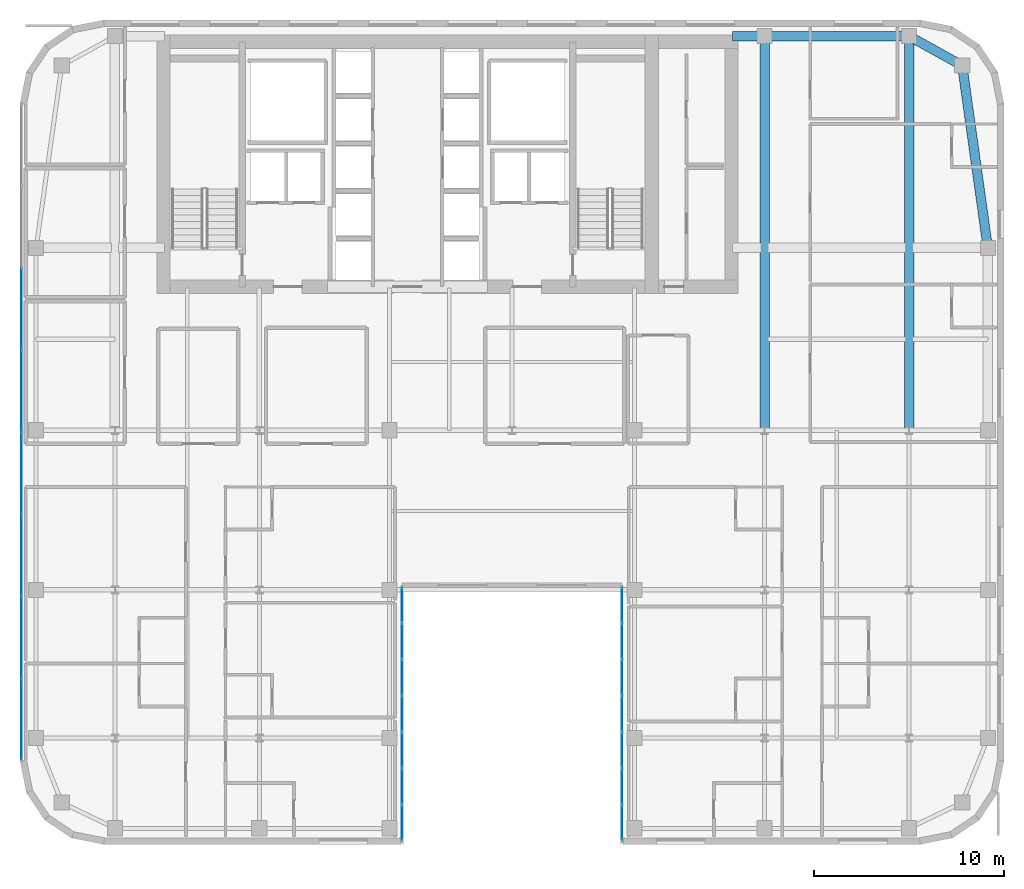
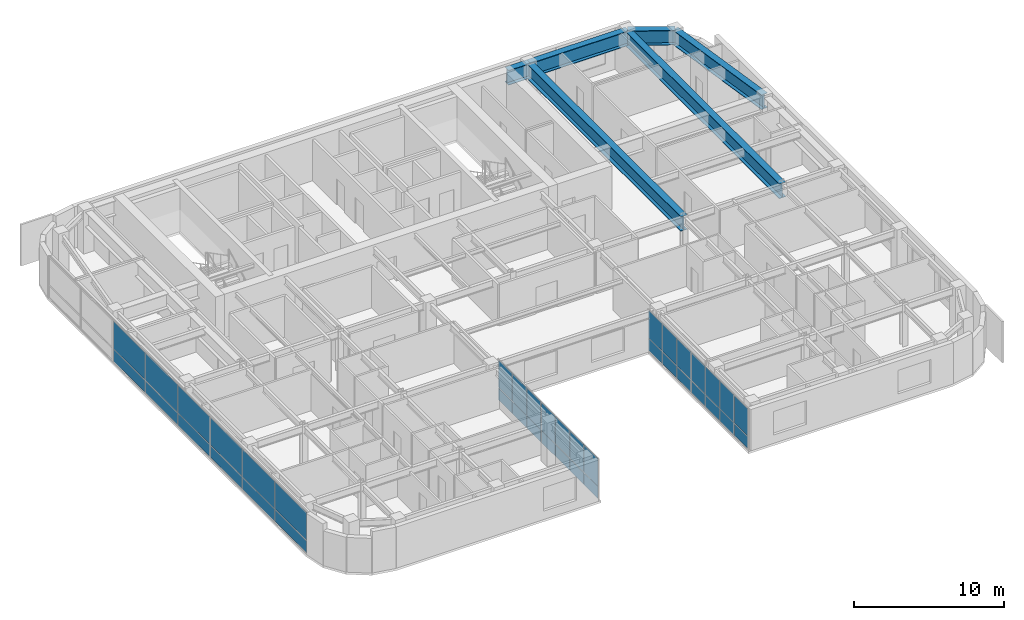
# One storey, part 16 of 24: 40 plates, 6 beams, 3 elements without a shape of their own.
"""IFC4 building model written with IfcOpenShell, lengths in metres."""

from ifc_helpers import new_model, si_unit, direction, frame, origin, origin_2d, place, context, subcontext, project, spatial, rectangle, i_section, extrude, source, transform, mapped, material, layer, layer_set, material_profile, profile_set, type_object, type_shapes, element, aggregate, save


model = new_model("IFC4")

# Units and contexts
model_context = context("Model", 3, precision=1e-05, world=origin(), true_north=direction((0.0, 1.0)))
body_context = subcontext(model_context, "Body", "Model", "MODEL_VIEW")
ifc_project = project(units=[si_unit("LENGTHUNIT", "METRE"), si_unit("AREAUNIT", "SQUARE_METRE"), si_unit("VOLUMEUNIT", "CUBIC_METRE"), si_unit("PLANEANGLEUNIT", "RADIAN"), si_unit("MASSUNIT", "GRAM", prefix="KILO")], contexts=[model_context])

# Site, building, storey
site_placement = place(None, origin())
site = spatial("IfcSite", under=ifc_project, at=site_placement, CompositionType="ELEMENT")
building_placement = place(site_placement, origin())
building = spatial("IfcBuilding", under=site, at=building_placement, Name="Tolvann Quenvar Hotel", CompositionType="ELEMENT")
storey_placement = place(building_placement, frame((0.0, 0.0, 194.64990234375)))
storey = spatial("IfcBuildingStorey", under=building, at=storey_placement, Name="L51", CompositionType="ELEMENT", Elevation=194.64990234375)

# Beams
ifc_material_1 = material(Name="Steel Grade 350", Category="steel")
ifc_material_profile = material_profile(ifc_material_1, i_section(OverallWidth=0.5, OverallDepth=1.199951171875, WebThickness=0.01611328125, FlangeThickness=0.0400390625, at=origin_2d()), Name="1200WB455")
ifc_profile_set = profile_set([ifc_material_profile], Name="Steel Grade 350")
beam_type = type_object("IfcBeamType", Name="BM_TG_1200WB455", PredefinedType="USERDEFINED", material=ifc_profile_set)
shared_shape_1 = source(origin(), body_context, "Body", "SweptSolid", [
    extrude(i_section(OverallWidth=0.5, OverallDepth=1.199951171875, WebThickness=0.01611328125, FlangeThickness=0.0400390625, at=origin_2d()), origin(), (0.0, 0.0, 1.0), 7.599853515625),
])
beam_1_placement = place(storey_placement, frame((49.39990234375, 45.14990234375, 2.77001953125), z_axis=(-1.0, 0.0, 0.0), x_axis=(0.0, -1.0, 0.0)))
element("IfcBeam", 1, at=beam_1_placement, inside=storey, type_object=beam_type, Name="BM-L51-FLK-E4", ObjectType="TRANSFER GIRDER", PredefinedType="USERDEFINED", context=body_context, shape_type="MappedRepresentation", body=[
    mapped(shared_shape_1, transform((0.0, 0.0, 0.0), x_axis=(1.0, 0.0, 0.0), y_axis=(0.0, 1.0, 0.0), z_axis=(0.0, 0.0, 1.0), scale=1.0)),
])
shared_shape_2 = source(origin(), body_context, "Body", "SweptSolid", [
    extrude(i_section(OverallWidth=0.5, OverallDepth=1.199951171875, WebThickness=0.01611328125, FlangeThickness=0.0400390625, at=origin_2d()), origin(), (0.0, 0.0, 1.0), 20.75),
])
for number, where, z_axis, x_axis, name in (
    (2, (41.800048828125, 24.39990234375, 2.77001953125), (0.0, 1.0, 0.0), (-1.0, 0.0, 0.0), "BM-L51-FLK-EH"),
    (3, (49.39990234375, 24.39990234375, 2.77001953125), (0.0, 1.0, 0.0), (-1.0, 0.0, 0.0), "BM-L51-FLK-EI"),
):
    element("IfcBeam", number, at=place(storey_placement, frame(where, z_axis=z_axis, x_axis=x_axis)), inside=storey, type_object=beam_type, Name=name, ObjectType="TRANSFER GIRDER", PredefinedType="USERDEFINED", context=body_context, shape_type="MappedRepresentation", body=[
        mapped(shared_shape_2, transform((0.0, 0.0, 0.0), x_axis=(1.0, 0.0, 0.0), y_axis=(0.0, 1.0, 0.0), z_axis=(0.0, 0.0, 1.0), scale=1.0)),
    ])
shared_shape_3 = source(origin(), body_context, "Body", "SweptSolid", [
    extrude(i_section(OverallWidth=0.5, OverallDepth=1.199951171875, WebThickness=0.01611328125, FlangeThickness=0.0400390625, at=origin_2d()), origin(), (0.0, 0.0, 1.0), 1.699951171875),
])
beam_2_placement = place(storey_placement, frame((40.10009765625, 45.14990234375, 2.77001953125), z_axis=(1.0, 0.0, 0.0), x_axis=(0.0, 1.0, 0.0)))
element("IfcBeam", 4, at=beam_2_placement, inside=storey, type_object=beam_type, Name="BM-L51-CTE-HN", ObjectType="TRANSFER GIRDER", PredefinedType="USERDEFINED", context=body_context, shape_type="MappedRepresentation", body=[
    mapped(shared_shape_3, transform((0.0, 0.0, 0.0), x_axis=(1.0, 0.0, 0.0), y_axis=(0.0, 1.0, 0.0), z_axis=(0.0, 0.0, 1.0), scale=1.0)),
])
shared_shape_4 = source(origin(), body_context, "Body", "SweptSolid", [
    extrude(i_section(OverallWidth=0.5, OverallDepth=1.199951171875, WebThickness=0.01611328125, FlangeThickness=0.0400390625, at=origin_2d()), origin(), (0.0, 0.0, 1.0), 9.694580078125),
])
beam_3_placement = place(storey_placement, frame((53.550048828125, 34.0, 2.77001953125), z_axis=(-0.139263320262, 0.990255385055, 0.0), x_axis=(-0.990255385055, -0.139263320262, 0.0)))
element("IfcBeam", 5, at=beam_3_placement, inside=storey, type_object=beam_type, Name="BM-L51-FLK-E2", ObjectType="TRANSFER GIRDER", PredefinedType="USERDEFINED", context=body_context, shape_type="MappedRepresentation", body=[
    mapped(shared_shape_4, transform((0.0, 0.0, 0.0), x_axis=(1.0, 0.0, 0.0), y_axis=(0.0, 1.0, 0.0), z_axis=(0.0, 0.0, 1.0), scale=1.0)),
])
shared_shape_5 = source(origin(), body_context, "Body", "SweptSolid", [
    extrude(i_section(OverallWidth=0.5, OverallDepth=1.199951171875, WebThickness=0.01611328125, FlangeThickness=0.0400390625, at=origin_2d()), origin(), (0.0, 0.0, 1.0), 3.200439453125),
])
type_shapes(beam_type, [shared_shape_1, shared_shape_2, shared_shape_3, shared_shape_4, shared_shape_5])
beam_4_placement = place(storey_placement, frame((52.199951171875, 43.60009765625, 2.77001953125), z_axis=(-0.87492264453, 0.48426270359, 0.0), x_axis=(-0.48426270359, -0.87492264453, 0.0)))
element("IfcBeam", 6, at=beam_4_placement, inside=storey, type_object=beam_type, Name="BM-L51-FLK-E3", ObjectType="TRANSFER GIRDER", PredefinedType="USERDEFINED", context=body_context, shape_type="MappedRepresentation", body=[
    mapped(shared_shape_5, transform((0.0, 0.0, 0.0), x_axis=(1.0, 0.0, 0.0), y_axis=(0.0, 1.0, 0.0), z_axis=(0.0, 0.0, 1.0), scale=1.0)),
])

# Curtain wall, plates
ifc_material_2 = material(Name="Thermally broken anodised architectural aluminium 6063-T6 and laminated low-E glass", Category="aluminium")
ifc_layer_1 = layer(ifc_material_2, 0.179931640625)
ifc_layer_set_1 = layer_set([ifc_layer_1], Name="Thermally broken anodised architectural aluminium 6063-T6 and laminated low-E glass")
curtain_wall_type_1 = type_object("IfcCurtainWallType", Name="CW_SYS_SLOT_03", PredefinedType="USERDEFINED", material=ifc_layer_set_1)
curtain_wall_1_placement = place(storey_placement, origin())
curtain_wall_1 = element("IfcCurtainWall", 7, at=curtain_wall_1_placement, inside=storey, type_object=curtain_wall_type_1, Name="Curtain Wall CW-SLOT-03 (CWR-L51-E05)", ObjectType="UNITISED CURTAIN WALL", PredefinedType="USERDEFINED")
ifc_material_3 = material(Name="Low-iron laminated double glazing with solar-control coating", Category="glass")
ifc_layer_2 = layer(ifc_material_3, 0.028076171875)
ifc_layer_set_2 = layer_set([ifc_layer_2], Name="Low-iron laminated double glazing with solar-control coating")
plate_type = type_object("IfcPlateType", Name="CW_PAN_VISION_28", PredefinedType="CURTAIN_PANEL", material=ifc_layer_set_2)
shared_shape_6 = source(origin(), body_context, "Body", "SweptSolid", [
    extrude(rectangle(XDim=1.809326171875, YDim=0.028076171875, at=origin_2d()), origin(), (0.0, 0.0, 1.0), 0.9599609375),
])
plate_1_placement = place(storey_placement, frame((22.7099609375, 3.749755859375, 0.06005859375), z_axis=(0.0, 0.0, 1.0), x_axis=(0.0, 1.0, 0.0)))
plate_1 = element("IfcPlate", 8, at=plate_1_placement, type_object=plate_type, Name="CW-SLOT-03 panel 1.1", PredefinedType="CURTAIN_PANEL", context=body_context, shape_type="MappedRepresentation", body=[
    mapped(shared_shape_6, transform((0.0, 0.0, 0.0), x_axis=(1.0, 0.0, 0.0), y_axis=(0.0, 1.0, 0.0), z_axis=(0.0, 0.0, 1.0), scale=1.0)),
])
plate_2_placement = place(storey_placement, frame((22.7099609375, 15.200439453125, 0.06005859375), z_axis=(0.0, 0.0, 1.0), x_axis=(0.0, 1.0, 0.0)))
plate_2 = element("IfcPlate", 9, at=plate_2_placement, type_object=plate_type, Name="CW-SLOT-03 panel 7.1", PredefinedType="CURTAIN_PANEL", context=body_context, shape_type="MappedRepresentation", body=[
    mapped(shared_shape_6, transform((0.0, 0.0, 0.0), x_axis=(1.0, 0.0, 0.0), y_axis=(0.0, 1.0, 0.0), z_axis=(0.0, 0.0, 1.0), scale=1.0)),
])

curtain_wall_2_placement = place(storey_placement, origin())
curtain_wall_2 = element("IfcCurtainWall", 10, at=curtain_wall_2_placement, inside=storey, type_object=curtain_wall_type_1, Name="Curtain Wall CW-SLOT-03 (CWR-L51-E07)", ObjectType="UNITISED CURTAIN WALL", PredefinedType="USERDEFINED")
plate_3_placement = place(storey_placement, frame((34.2900390625, 15.200439453125, 0.06005859375), z_axis=(0.0, 0.0, 1.0), x_axis=(0.0, -1.0, 0.0)))
plate_3 = element("IfcPlate", 11, at=plate_3_placement, type_object=plate_type, Name="CW-SLOT-03 panel 1.1", PredefinedType="CURTAIN_PANEL", context=body_context, shape_type="MappedRepresentation", body=[
    mapped(shared_shape_6, transform((0.0, 0.0, 0.0), x_axis=(1.0, 0.0, 0.0), y_axis=(0.0, 1.0, 0.0), z_axis=(0.0, 0.0, 1.0), scale=1.0)),
])
plate_4_placement = place(storey_placement, frame((34.2900390625, 3.749755859375, 0.06005859375), z_axis=(0.0, 0.0, 1.0), x_axis=(0.0, -1.0, 0.0)))
plate_4 = element("IfcPlate", 12, at=plate_4_placement, type_object=plate_type, Name="CW-SLOT-03 panel 7.1", PredefinedType="CURTAIN_PANEL", context=body_context, shape_type="MappedRepresentation", body=[
    mapped(shared_shape_6, transform((0.0, 0.0, 0.0), x_axis=(1.0, 0.0, 0.0), y_axis=(0.0, 1.0, 0.0), z_axis=(0.0, 0.0, 1.0), scale=1.0)),
])

# Plate
shared_shape_7 = source(origin(), body_context, "Body", "SweptSolid", [
    extrude(rectangle(XDim=1.809326171875, YDim=0.028076171875, at=origin_2d()), origin(), (0.0, 0.0, 1.0), 2.22998046875),
])
plate_5_placement = place(storey_placement, frame((22.7099609375, 3.749755859375, 1.080078125), z_axis=(0.0, 0.0, 1.0), x_axis=(0.0, 1.0, 0.0)))
plate_5 = element("IfcPlate", 13, at=plate_5_placement, type_object=plate_type, Name="CW-SLOT-03 panel 1.2", PredefinedType="CURTAIN_PANEL", context=body_context, shape_type="MappedRepresentation", body=[
    mapped(shared_shape_7, transform((0.0, 0.0, 0.0), x_axis=(1.0, 0.0, 0.0), y_axis=(0.0, 1.0, 0.0), z_axis=(0.0, 0.0, 1.0), scale=1.0)),
])

plate_6_placement = place(storey_placement, frame((22.7099609375, 15.200439453125, 1.080078125), z_axis=(0.0, 0.0, 1.0), x_axis=(0.0, 1.0, 0.0)))
plate_6 = element("IfcPlate", 14, at=plate_6_placement, type_object=plate_type, Name="CW-SLOT-03 panel 7.2", PredefinedType="CURTAIN_PANEL", context=body_context, shape_type="MappedRepresentation", body=[
    mapped(shared_shape_7, transform((0.0, 0.0, 0.0), x_axis=(1.0, 0.0, 0.0), y_axis=(0.0, 1.0, 0.0), z_axis=(0.0, 0.0, 1.0), scale=1.0)),
])

plate_7_placement = place(storey_placement, frame((34.2900390625, 15.200439453125, 1.080078125), z_axis=(0.0, 0.0, 1.0), x_axis=(0.0, -1.0, 0.0)))
plate_7 = element("IfcPlate", 15, at=plate_7_placement, type_object=plate_type, Name="CW-SLOT-03 panel 1.2", PredefinedType="CURTAIN_PANEL", context=body_context, shape_type="MappedRepresentation", body=[
    mapped(shared_shape_7, transform((0.0, 0.0, 0.0), x_axis=(1.0, 0.0, 0.0), y_axis=(0.0, 1.0, 0.0), z_axis=(0.0, 0.0, 1.0), scale=1.0)),
])

plate_8_placement = place(storey_placement, frame((34.2900390625, 3.749755859375, 1.080078125), z_axis=(0.0, 0.0, 1.0), x_axis=(0.0, -1.0, 0.0)))
plate_8 = element("IfcPlate", 16, at=plate_8_placement, type_object=plate_type, Name="CW-SLOT-03 panel 7.2", PredefinedType="CURTAIN_PANEL", context=body_context, shape_type="MappedRepresentation", body=[
    mapped(shared_shape_7, transform((0.0, 0.0, 0.0), x_axis=(1.0, 0.0, 0.0), y_axis=(0.0, 1.0, 0.0), z_axis=(0.0, 0.0, 1.0), scale=1.0)),
])

shared_shape_8 = source(origin(), body_context, "Body", "SweptSolid", [
    extrude(rectangle(XDim=1.84423828125, YDim=0.028076171875, at=origin_2d()), origin(), (0.0, 0.0, 1.0), 0.9599609375),
])
plate_9_placement = place(storey_placement, frame((22.7099609375, 5.646484375, 0.06005859375), z_axis=(0.0, 0.0, 1.0), x_axis=(0.0, 1.0, 0.0)))
plate_9 = element("IfcPlate", 17, at=plate_9_placement, type_object=plate_type, Name="CW-SLOT-03 panel 2.1", PredefinedType="CURTAIN_PANEL", context=body_context, shape_type="MappedRepresentation", body=[
    mapped(shared_shape_8, transform((0.0, 0.0, 0.0), x_axis=(1.0, 0.0, 0.0), y_axis=(0.0, 1.0, 0.0), z_axis=(0.0, 0.0, 1.0), scale=1.0)),
])

plate_10_placement = place(storey_placement, frame((22.7099609375, 7.560791015625, 0.06005859375), z_axis=(0.0, 0.0, 1.0), x_axis=(0.0, 1.0, 0.0)))
plate_10 = element("IfcPlate", 18, at=plate_10_placement, type_object=plate_type, Name="CW-SLOT-03 panel 3.1", PredefinedType="CURTAIN_PANEL", context=body_context, shape_type="MappedRepresentation", body=[
    mapped(shared_shape_8, transform((0.0, 0.0, 0.0), x_axis=(1.0, 0.0, 0.0), y_axis=(0.0, 1.0, 0.0), z_axis=(0.0, 0.0, 1.0), scale=1.0)),
])

plate_11_placement = place(storey_placement, frame((22.7099609375, 9.47509765625, 0.06005859375), z_axis=(0.0, 0.0, 1.0), x_axis=(0.0, 1.0, 0.0)))
plate_11 = element("IfcPlate", 19, at=plate_11_placement, type_object=plate_type, Name="CW-SLOT-03 panel 4.1", PredefinedType="CURTAIN_PANEL", context=body_context, shape_type="MappedRepresentation", body=[
    mapped(shared_shape_8, transform((0.0, 0.0, 0.0), x_axis=(1.0, 0.0, 0.0), y_axis=(0.0, 1.0, 0.0), z_axis=(0.0, 0.0, 1.0), scale=1.0)),
])

plate_12_placement = place(storey_placement, frame((22.7099609375, 11.389404296875, 0.06005859375), z_axis=(0.0, 0.0, 1.0), x_axis=(0.0, 1.0, 0.0)))
plate_12 = element("IfcPlate", 20, at=plate_12_placement, type_object=plate_type, Name="CW-SLOT-03 panel 5.1", PredefinedType="CURTAIN_PANEL", context=body_context, shape_type="MappedRepresentation", body=[
    mapped(shared_shape_8, transform((0.0, 0.0, 0.0), x_axis=(1.0, 0.0, 0.0), y_axis=(0.0, 1.0, 0.0), z_axis=(0.0, 0.0, 1.0), scale=1.0)),
])

plate_13_placement = place(storey_placement, frame((22.7099609375, 13.303466796875, 0.06005859375), z_axis=(0.0, 0.0, 1.0), x_axis=(0.0, 1.0, 0.0)))
plate_13 = element("IfcPlate", 21, at=plate_13_placement, type_object=plate_type, Name="CW-SLOT-03 panel 6.1", PredefinedType="CURTAIN_PANEL", context=body_context, shape_type="MappedRepresentation", body=[
    mapped(shared_shape_8, transform((0.0, 0.0, 0.0), x_axis=(1.0, 0.0, 0.0), y_axis=(0.0, 1.0, 0.0), z_axis=(0.0, 0.0, 1.0), scale=1.0)),
])

plate_14_placement = place(storey_placement, frame((34.2900390625, 13.303466796875, 0.06005859375), z_axis=(0.0, 0.0, 1.0), x_axis=(0.0, -1.0, 0.0)))
plate_14 = element("IfcPlate", 22, at=plate_14_placement, type_object=plate_type, Name="CW-SLOT-03 panel 2.1", PredefinedType="CURTAIN_PANEL", context=body_context, shape_type="MappedRepresentation", body=[
    mapped(shared_shape_8, transform((0.0, 0.0, 0.0), x_axis=(1.0, 0.0, 0.0), y_axis=(0.0, 1.0, 0.0), z_axis=(0.0, 0.0, 1.0), scale=1.0)),
])

plate_15_placement = place(storey_placement, frame((34.2900390625, 11.389404296875, 0.06005859375), z_axis=(0.0, 0.0, 1.0), x_axis=(0.0, -1.0, 0.0)))
plate_15 = element("IfcPlate", 23, at=plate_15_placement, type_object=plate_type, Name="CW-SLOT-03 panel 3.1", PredefinedType="CURTAIN_PANEL", context=body_context, shape_type="MappedRepresentation", body=[
    mapped(shared_shape_8, transform((0.0, 0.0, 0.0), x_axis=(1.0, 0.0, 0.0), y_axis=(0.0, 1.0, 0.0), z_axis=(0.0, 0.0, 1.0), scale=1.0)),
])

plate_16_placement = place(storey_placement, frame((34.2900390625, 9.47509765625, 0.06005859375), z_axis=(0.0, 0.0, 1.0), x_axis=(0.0, -1.0, 0.0)))
plate_16 = element("IfcPlate", 24, at=plate_16_placement, type_object=plate_type, Name="CW-SLOT-03 panel 4.1", PredefinedType="CURTAIN_PANEL", context=body_context, shape_type="MappedRepresentation", body=[
    mapped(shared_shape_8, transform((0.0, 0.0, 0.0), x_axis=(1.0, 0.0, 0.0), y_axis=(0.0, 1.0, 0.0), z_axis=(0.0, 0.0, 1.0), scale=1.0)),
])

plate_17_placement = place(storey_placement, frame((34.2900390625, 7.560791015625, 0.06005859375), z_axis=(0.0, 0.0, 1.0), x_axis=(0.0, -1.0, 0.0)))
plate_17 = element("IfcPlate", 25, at=plate_17_placement, type_object=plate_type, Name="CW-SLOT-03 panel 5.1", PredefinedType="CURTAIN_PANEL", context=body_context, shape_type="MappedRepresentation", body=[
    mapped(shared_shape_8, transform((0.0, 0.0, 0.0), x_axis=(1.0, 0.0, 0.0), y_axis=(0.0, 1.0, 0.0), z_axis=(0.0, 0.0, 1.0), scale=1.0)),
])

plate_18_placement = place(storey_placement, frame((34.2900390625, 5.646484375, 0.06005859375), z_axis=(0.0, 0.0, 1.0), x_axis=(0.0, -1.0, 0.0)))
plate_18 = element("IfcPlate", 26, at=plate_18_placement, type_object=plate_type, Name="CW-SLOT-03 panel 6.1", PredefinedType="CURTAIN_PANEL", context=body_context, shape_type="MappedRepresentation", body=[
    mapped(shared_shape_8, transform((0.0, 0.0, 0.0), x_axis=(1.0, 0.0, 0.0), y_axis=(0.0, 1.0, 0.0), z_axis=(0.0, 0.0, 1.0), scale=1.0)),
])

shared_shape_9 = source(origin(), body_context, "Body", "SweptSolid", [
    extrude(rectangle(XDim=1.84423828125, YDim=0.028076171875, at=origin_2d()), origin(), (0.0, 0.0, 1.0), 2.22998046875),
])
plate_19_placement = place(storey_placement, frame((22.7099609375, 5.646484375, 1.080078125), z_axis=(0.0, 0.0, 1.0), x_axis=(0.0, 1.0, 0.0)))
plate_19 = element("IfcPlate", 27, at=plate_19_placement, type_object=plate_type, Name="CW-SLOT-03 panel 2.2", PredefinedType="CURTAIN_PANEL", context=body_context, shape_type="MappedRepresentation", body=[
    mapped(shared_shape_9, transform((0.0, 0.0, 0.0), x_axis=(1.0, 0.0, 0.0), y_axis=(0.0, 1.0, 0.0), z_axis=(0.0, 0.0, 1.0), scale=1.0)),
])

plate_20_placement = place(storey_placement, frame((22.7099609375, 7.560791015625, 1.080078125), z_axis=(0.0, 0.0, 1.0), x_axis=(0.0, 1.0, 0.0)))
plate_20 = element("IfcPlate", 28, at=plate_20_placement, type_object=plate_type, Name="CW-SLOT-03 panel 3.2", PredefinedType="CURTAIN_PANEL", context=body_context, shape_type="MappedRepresentation", body=[
    mapped(shared_shape_9, transform((0.0, 0.0, 0.0), x_axis=(1.0, 0.0, 0.0), y_axis=(0.0, 1.0, 0.0), z_axis=(0.0, 0.0, 1.0), scale=1.0)),
])

plate_21_placement = place(storey_placement, frame((22.7099609375, 9.47509765625, 1.080078125), z_axis=(0.0, 0.0, 1.0), x_axis=(0.0, 1.0, 0.0)))
plate_21 = element("IfcPlate", 29, at=plate_21_placement, type_object=plate_type, Name="CW-SLOT-03 panel 4.2", PredefinedType="CURTAIN_PANEL", context=body_context, shape_type="MappedRepresentation", body=[
    mapped(shared_shape_9, transform((0.0, 0.0, 0.0), x_axis=(1.0, 0.0, 0.0), y_axis=(0.0, 1.0, 0.0), z_axis=(0.0, 0.0, 1.0), scale=1.0)),
])

plate_22_placement = place(storey_placement, frame((22.7099609375, 11.389404296875, 1.080078125), z_axis=(0.0, 0.0, 1.0), x_axis=(0.0, 1.0, 0.0)))
plate_22 = element("IfcPlate", 30, at=plate_22_placement, type_object=plate_type, Name="CW-SLOT-03 panel 5.2", PredefinedType="CURTAIN_PANEL", context=body_context, shape_type="MappedRepresentation", body=[
    mapped(shared_shape_9, transform((0.0, 0.0, 0.0), x_axis=(1.0, 0.0, 0.0), y_axis=(0.0, 1.0, 0.0), z_axis=(0.0, 0.0, 1.0), scale=1.0)),
])

plate_23_placement = place(storey_placement, frame((22.7099609375, 13.303466796875, 1.080078125), z_axis=(0.0, 0.0, 1.0), x_axis=(0.0, 1.0, 0.0)))
plate_23 = element("IfcPlate", 31, at=plate_23_placement, type_object=plate_type, Name="CW-SLOT-03 panel 6.2", PredefinedType="CURTAIN_PANEL", context=body_context, shape_type="MappedRepresentation", body=[
    mapped(shared_shape_9, transform((0.0, 0.0, 0.0), x_axis=(1.0, 0.0, 0.0), y_axis=(0.0, 1.0, 0.0), z_axis=(0.0, 0.0, 1.0), scale=1.0)),
])

aggregate(curtain_wall_1, [plate_1, plate_5, plate_9, plate_19, plate_10, plate_20, plate_11, plate_21, plate_12, plate_22, plate_13, plate_23, plate_2, plate_6])

plate_24_placement = place(storey_placement, frame((34.2900390625, 13.303466796875, 1.080078125), z_axis=(0.0, 0.0, 1.0), x_axis=(0.0, -1.0, 0.0)))
plate_24 = element("IfcPlate", 32, at=plate_24_placement, type_object=plate_type, Name="CW-SLOT-03 panel 2.2", PredefinedType="CURTAIN_PANEL", context=body_context, shape_type="MappedRepresentation", body=[
    mapped(shared_shape_9, transform((0.0, 0.0, 0.0), x_axis=(1.0, 0.0, 0.0), y_axis=(0.0, 1.0, 0.0), z_axis=(0.0, 0.0, 1.0), scale=1.0)),
])

plate_25_placement = place(storey_placement, frame((34.2900390625, 11.389404296875, 1.080078125), z_axis=(0.0, 0.0, 1.0), x_axis=(0.0, -1.0, 0.0)))
plate_25 = element("IfcPlate", 33, at=plate_25_placement, type_object=plate_type, Name="CW-SLOT-03 panel 3.2", PredefinedType="CURTAIN_PANEL", context=body_context, shape_type="MappedRepresentation", body=[
    mapped(shared_shape_9, transform((0.0, 0.0, 0.0), x_axis=(1.0, 0.0, 0.0), y_axis=(0.0, 1.0, 0.0), z_axis=(0.0, 0.0, 1.0), scale=1.0)),
])

plate_26_placement = place(storey_placement, frame((34.2900390625, 9.47509765625, 1.080078125), z_axis=(0.0, 0.0, 1.0), x_axis=(0.0, -1.0, 0.0)))
plate_26 = element("IfcPlate", 34, at=plate_26_placement, type_object=plate_type, Name="CW-SLOT-03 panel 4.2", PredefinedType="CURTAIN_PANEL", context=body_context, shape_type="MappedRepresentation", body=[
    mapped(shared_shape_9, transform((0.0, 0.0, 0.0), x_axis=(1.0, 0.0, 0.0), y_axis=(0.0, 1.0, 0.0), z_axis=(0.0, 0.0, 1.0), scale=1.0)),
])

plate_27_placement = place(storey_placement, frame((34.2900390625, 7.560791015625, 1.080078125), z_axis=(0.0, 0.0, 1.0), x_axis=(0.0, -1.0, 0.0)))
plate_27 = element("IfcPlate", 35, at=plate_27_placement, type_object=plate_type, Name="CW-SLOT-03 panel 5.2", PredefinedType="CURTAIN_PANEL", context=body_context, shape_type="MappedRepresentation", body=[
    mapped(shared_shape_9, transform((0.0, 0.0, 0.0), x_axis=(1.0, 0.0, 0.0), y_axis=(0.0, 1.0, 0.0), z_axis=(0.0, 0.0, 1.0), scale=1.0)),
])

plate_28_placement = place(storey_placement, frame((34.2900390625, 5.646484375, 1.080078125), z_axis=(0.0, 0.0, 1.0), x_axis=(0.0, -1.0, 0.0)))
plate_28 = element("IfcPlate", 36, at=plate_28_placement, type_object=plate_type, Name="CW-SLOT-03 panel 6.2", PredefinedType="CURTAIN_PANEL", context=body_context, shape_type="MappedRepresentation", body=[
    mapped(shared_shape_9, transform((0.0, 0.0, 0.0), x_axis=(1.0, 0.0, 0.0), y_axis=(0.0, 1.0, 0.0), z_axis=(0.0, 0.0, 1.0), scale=1.0)),
])

aggregate(curtain_wall_2, [plate_3, plate_7, plate_14, plate_24, plate_15, plate_25, plate_16, plate_26, plate_17, plate_27, plate_18, plate_28, plate_4, plate_8])

# Curtain wall, plates
ifc_layer_3 = layer(ifc_material_2, 0.179931640625)
ifc_layer_set_3 = layer_set([ifc_layer_3], Name="Thermally broken anodised architectural aluminium 6063-T6 and laminated low-E glass")
curtain_wall_type_2 = type_object("IfcCurtainWallType", Name="CW_SYS_BAND_04", PredefinedType="USERDEFINED", material=ifc_layer_set_3)
curtain_wall_3_placement = place(storey_placement, origin())
curtain_wall_3 = element("IfcCurtainWall", 37, at=curtain_wall_3_placement, inside=storey, type_object=curtain_wall_type_2, Name="Curtain Wall CW-BAND-04 (CWR-L51-E23)", ObjectType="UNITISED CURTAIN WALL", PredefinedType="USERDEFINED")
shared_shape_10 = source(origin(), body_context, "Body", "SweptSolid", [
    extrude(rectangle(XDim=4.2158203125, YDim=0.028076171875, at=origin_2d()), origin(), (0.0, 0.0, 1.0), 0.9599609375),
])
plate_29_placement = place(storey_placement, frame((2.68994140625, 9.195068359375, 0.06005859375), z_axis=(0.0, 0.0, 1.0), x_axis=(0.0, -1.0, 0.0)))
plate_29 = element("IfcPlate", 38, at=plate_29_placement, type_object=plate_type, Name="CW-BAND-04 panel 8.1", PredefinedType="CURTAIN_PANEL", context=body_context, shape_type="MappedRepresentation", body=[
    mapped(shared_shape_10, transform((0.0, 0.0, 0.0), x_axis=(1.0, 0.0, 0.0), y_axis=(0.0, 1.0, 0.0), z_axis=(0.0, 0.0, 1.0), scale=1.0)),
])
shared_shape_11 = source(origin(), body_context, "Body", "SweptSolid", [
    extrude(rectangle(XDim=4.2158203125, YDim=0.028076171875, at=origin_2d()), origin(), (0.0, 0.0, 1.0), 2.22998046875),
])
plate_30_placement = place(storey_placement, frame((2.68994140625, 9.195068359375, 1.080078125), z_axis=(0.0, 0.0, 1.0), x_axis=(0.0, -1.0, 0.0)))
plate_30 = element("IfcPlate", 39, at=plate_30_placement, type_object=plate_type, Name="CW-BAND-04 panel 8.2", PredefinedType="CURTAIN_PANEL", context=body_context, shape_type="MappedRepresentation", body=[
    mapped(shared_shape_11, transform((0.0, 0.0, 0.0), x_axis=(1.0, 0.0, 0.0), y_axis=(0.0, 1.0, 0.0), z_axis=(0.0, 0.0, 1.0), scale=1.0)),
])
shared_shape_12 = source(origin(), body_context, "Body", "SweptSolid", [
    extrude(rectangle(XDim=4.250732421875, YDim=0.028076171875, at=origin_2d()), origin(), (0.0, 0.0, 1.0), 0.9599609375),
])
plate_31_placement = place(storey_placement, frame((2.68994140625, 30.781005859375, 0.06005859375), z_axis=(0.0, 0.0, 1.0), x_axis=(0.0, -1.0, 0.0)))
plate_31 = element("IfcPlate", 40, at=plate_31_placement, type_object=plate_type, Name="CW-BAND-04 panel 3.1", PredefinedType="CURTAIN_PANEL", context=body_context, shape_type="MappedRepresentation", body=[
    mapped(shared_shape_12, transform((0.0, 0.0, 0.0), x_axis=(1.0, 0.0, 0.0), y_axis=(0.0, 1.0, 0.0), z_axis=(0.0, 0.0, 1.0), scale=1.0)),
])
plate_32_placement = place(storey_placement, frame((2.68994140625, 26.46044921875, 0.06005859375), z_axis=(0.0, 0.0, 1.0), x_axis=(0.0, -1.0, 0.0)))
plate_32 = element("IfcPlate", 41, at=plate_32_placement, type_object=plate_type, Name="CW-BAND-04 panel 4.1", PredefinedType="CURTAIN_PANEL", context=body_context, shape_type="MappedRepresentation", body=[
    mapped(shared_shape_12, transform((0.0, 0.0, 0.0), x_axis=(1.0, 0.0, 0.0), y_axis=(0.0, 1.0, 0.0), z_axis=(0.0, 0.0, 1.0), scale=1.0)),
])
plate_33_placement = place(storey_placement, frame((2.68994140625, 22.1396484375, 0.06005859375), z_axis=(0.0, 0.0, 1.0), x_axis=(0.0, -1.0, 0.0)))
plate_33 = element("IfcPlate", 42, at=plate_33_placement, type_object=plate_type, Name="CW-BAND-04 panel 5.1", PredefinedType="CURTAIN_PANEL", context=body_context, shape_type="MappedRepresentation", body=[
    mapped(shared_shape_12, transform((0.0, 0.0, 0.0), x_axis=(1.0, 0.0, 0.0), y_axis=(0.0, 1.0, 0.0), z_axis=(0.0, 0.0, 1.0), scale=1.0)),
])
plate_34_placement = place(storey_placement, frame((2.68994140625, 17.81884765625, 0.06005859375), z_axis=(0.0, 0.0, 1.0), x_axis=(0.0, -1.0, 0.0)))
plate_34 = element("IfcPlate", 43, at=plate_34_placement, type_object=plate_type, Name="CW-BAND-04 panel 6.1", PredefinedType="CURTAIN_PANEL", context=body_context, shape_type="MappedRepresentation", body=[
    mapped(shared_shape_12, transform((0.0, 0.0, 0.0), x_axis=(1.0, 0.0, 0.0), y_axis=(0.0, 1.0, 0.0), z_axis=(0.0, 0.0, 1.0), scale=1.0)),
])
plate_35_placement = place(storey_placement, frame((2.68994140625, 13.498291015625, 0.06005859375), z_axis=(0.0, 0.0, 1.0), x_axis=(0.0, -1.0, 0.0)))
plate_35 = element("IfcPlate", 44, at=plate_35_placement, type_object=plate_type, Name="CW-BAND-04 panel 7.1", PredefinedType="CURTAIN_PANEL", context=body_context, shape_type="MappedRepresentation", body=[
    mapped(shared_shape_12, transform((0.0, 0.0, 0.0), x_axis=(1.0, 0.0, 0.0), y_axis=(0.0, 1.0, 0.0), z_axis=(0.0, 0.0, 1.0), scale=1.0)),
])
shared_shape_13 = source(origin(), body_context, "Body", "SweptSolid", [
    extrude(rectangle(XDim=4.250732421875, YDim=0.028076171875, at=origin_2d()), origin(), (0.0, 0.0, 1.0), 2.22998046875),
])
type_shapes(plate_type, [shared_shape_6, shared_shape_7, shared_shape_8, shared_shape_9, shared_shape_10, shared_shape_11, shared_shape_12, shared_shape_13])
plate_36_placement = place(storey_placement, frame((2.68994140625, 30.781005859375, 1.080078125), z_axis=(0.0, 0.0, 1.0), x_axis=(0.0, -1.0, 0.0)))
plate_36 = element("IfcPlate", 45, at=plate_36_placement, type_object=plate_type, Name="CW-BAND-04 panel 3.2", PredefinedType="CURTAIN_PANEL", context=body_context, shape_type="MappedRepresentation", body=[
    mapped(shared_shape_13, transform((0.0, 0.0, 0.0), x_axis=(1.0, 0.0, 0.0), y_axis=(0.0, 1.0, 0.0), z_axis=(0.0, 0.0, 1.0), scale=1.0)),
])
plate_37_placement = place(storey_placement, frame((2.68994140625, 26.46044921875, 1.080078125), z_axis=(0.0, 0.0, 1.0), x_axis=(0.0, -1.0, 0.0)))
plate_37 = element("IfcPlate", 46, at=plate_37_placement, type_object=plate_type, Name="CW-BAND-04 panel 4.2", PredefinedType="CURTAIN_PANEL", context=body_context, shape_type="MappedRepresentation", body=[
    mapped(shared_shape_13, transform((0.0, 0.0, 0.0), x_axis=(1.0, 0.0, 0.0), y_axis=(0.0, 1.0, 0.0), z_axis=(0.0, 0.0, 1.0), scale=1.0)),
])
plate_38_placement = place(storey_placement, frame((2.68994140625, 22.1396484375, 1.080078125), z_axis=(0.0, 0.0, 1.0), x_axis=(0.0, -1.0, 0.0)))
plate_38 = element("IfcPlate", 47, at=plate_38_placement, type_object=plate_type, Name="CW-BAND-04 panel 5.2", PredefinedType="CURTAIN_PANEL", context=body_context, shape_type="MappedRepresentation", body=[
    mapped(shared_shape_13, transform((0.0, 0.0, 0.0), x_axis=(1.0, 0.0, 0.0), y_axis=(0.0, 1.0, 0.0), z_axis=(0.0, 0.0, 1.0), scale=1.0)),
])
plate_39_placement = place(storey_placement, frame((2.68994140625, 17.81884765625, 1.080078125), z_axis=(0.0, 0.0, 1.0), x_axis=(0.0, -1.0, 0.0)))
plate_39 = element("IfcPlate", 48, at=plate_39_placement, type_object=plate_type, Name="CW-BAND-04 panel 6.2", PredefinedType="CURTAIN_PANEL", context=body_context, shape_type="MappedRepresentation", body=[
    mapped(shared_shape_13, transform((0.0, 0.0, 0.0), x_axis=(1.0, 0.0, 0.0), y_axis=(0.0, 1.0, 0.0), z_axis=(0.0, 0.0, 1.0), scale=1.0)),
])
plate_40_placement = place(storey_placement, frame((2.68994140625, 13.498291015625, 1.080078125), z_axis=(0.0, 0.0, 1.0), x_axis=(0.0, -1.0, 0.0)))
plate_40 = element("IfcPlate", 49, at=plate_40_placement, type_object=plate_type, Name="CW-BAND-04 panel 7.2", PredefinedType="CURTAIN_PANEL", context=body_context, shape_type="MappedRepresentation", body=[
    mapped(shared_shape_13, transform((0.0, 0.0, 0.0), x_axis=(1.0, 0.0, 0.0), y_axis=(0.0, 1.0, 0.0), z_axis=(0.0, 0.0, 1.0), scale=1.0)),
])
aggregate(curtain_wall_3, [plate_31, plate_36, plate_32, plate_37, plate_33, plate_38, plate_34, plate_39, plate_35, plate_40, plate_29, plate_30])

save(model, "model.ifc")
